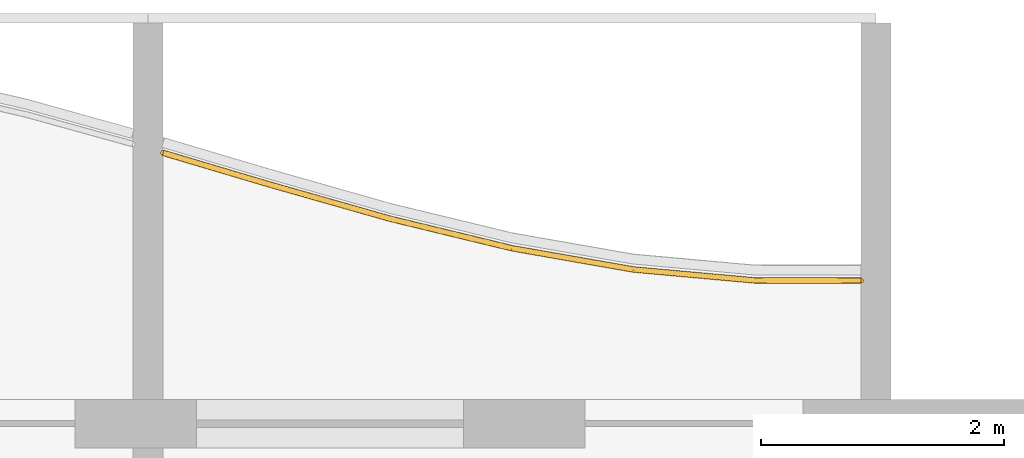
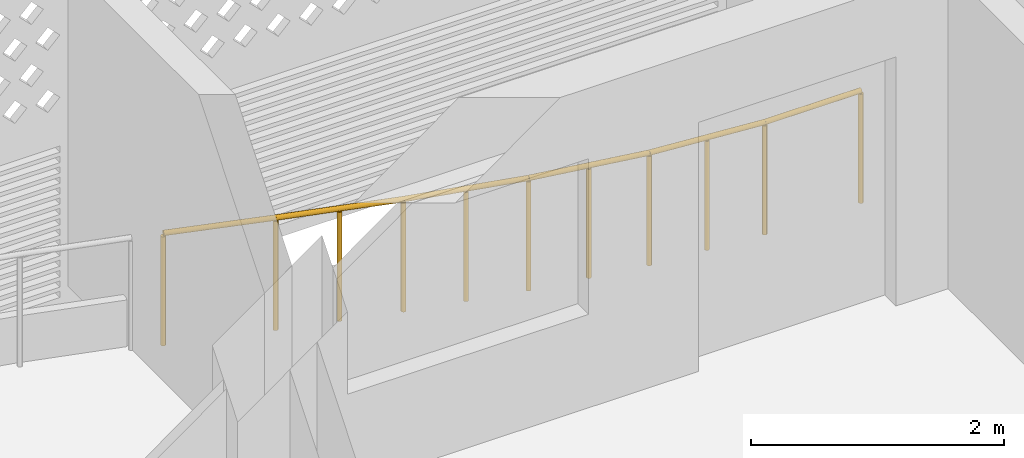
# One storey, part 26 of 27: 1 railing.
"""IFC4 building model written with IfcOpenShell, lengths in metres."""

from ifc_helpers import new_model, si_unit, direction, frame, origin, origin_2d, place, context, subcontext, project, spatial, circle, extrude, material, type_object, element, save


model = new_model("IFC4")

# Units and contexts
model_context = context("Model", 3, precision=1e-05, world=origin(), true_north=direction((0.0, 1.0)))
body_context = subcontext(model_context, "Body", "Model", "MODEL_VIEW")
ifc_project = project(units=[si_unit("LENGTHUNIT", "METRE"), si_unit("AREAUNIT", "SQUARE_METRE"), si_unit("VOLUMEUNIT", "CUBIC_METRE"), si_unit("PLANEANGLEUNIT", "RADIAN"), si_unit("MASSUNIT", "GRAM", prefix="KILO")], contexts=[model_context])

# Site, building, storey
site_placement = place(None, origin())
site = spatial("IfcSite", under=ifc_project, at=site_placement, CompositionType="ELEMENT")
building_placement = place(site_placement, origin())
building = spatial("IfcBuilding", under=site, at=building_placement, Name="Poui Terraces", CompositionType="ELEMENT")
storey_placement = place(building_placement, frame((0.0, 0.0, 198.300048828125)))
storey = spatial("IfcBuildingStorey", under=building, at=storey_placement, Name="L55", CompositionType="ELEMENT", Elevation=198.300048828125)

# Railing
ifc_material = material(Name="Painted steel fretwork", Category="steel")
railing_type = type_object("IfcRailingType", Name="BALCONY GUARD 1100", PredefinedType="GUARDRAIL", material=ifc_material)
railing_placement = place(storey_placement, frame((72.125, 43.43115234375, 0.0)))
element("IfcRailing", 1, at=railing_placement, inside=storey, type_object=railing_type, Name="BALCONY GUARD", PredefinedType="GUARDRAIL", context=body_context, shape_type="SweptSolid", body=[
    extrude(circle(Radius=0.02392578125, at=origin_2d()), frame((0.0, 0.0, 1.076171875), z_axis=(0.958573864065, -0.28484407512, 0.0), x_axis=(0.28484407512, 0.958573864065, 0.0)), (0.0, 0.0, 1.0), 0.912841796875),
    extrude(circle(Radius=0.02392578125, at=origin_2d()), frame((0.875, -0.260009765625, 1.076171875), z_axis=(0.961974635381, -0.273138794177, 0.0), x_axis=(0.273138794177, 0.961974635381, 0.0)), (0.0, 0.0, 1.0), 1.03955078125),
    extrude(circle(Radius=0.02392578125, at=origin_2d()), frame((1.875, -0.5439453125, 1.076171875), z_axis=(0.97195702449, -0.235158547673, 0.0), x_axis=(0.235158547673, 0.97195702449, 0.0)), (0.0, 0.0, 1.0), 1.02880859375),
    extrude(circle(Radius=0.02392578125, at=origin_2d()), frame((2.875, -0.785888671875, 1.076171875), z_axis=(0.985022299221, -0.172426999156, 0.0), x_axis=(0.172426999156, 0.985022299221, 0.0)), (0.0, 0.0, 1.0), 1.01513671875),
    extrude(circle(Radius=0.02392578125, at=origin_2d()), frame((3.875, -0.9609375, 1.076171875), z_axis=(0.995966620108, -0.089724531938, 0.0), x_axis=(0.089724531938, 0.995966620108, 0.0)), (0.0, 0.0, 1.0), 1.004150390625),
    extrude(circle(Radius=0.02392578125, at=origin_2d()), frame((4.875, -1.051025390625, 1.076171875), z_axis=(0.999998092657, -0.001953121275, 0.0), x_axis=(0.001953121275, 0.999998092657, 0.0)), (0.0, 0.0, 1.0), 0.875),
    extrude(circle(Radius=0.02099609375, at=origin_2d()), origin(), (0.0, 0.0, 1.0), 1.052001953125),
    extrude(circle(Radius=0.02099609375, at=origin_2d()), frame((0.875, -0.260009765625, 0.0)), (0.0, 0.0, 1.0), 1.052001953125),
    extrude(circle(Radius=0.02099609375, at=origin_2d()), frame((1.375, -0.40185546875, 0.0)), (0.0, 0.0, 1.0), 1.052001953125),
    extrude(circle(Radius=0.02099609375, at=origin_2d()), frame((1.875, -0.5439453125, 0.0)), (0.0, 0.0, 1.0), 1.052001953125),
    extrude(circle(Radius=0.02099609375, at=origin_2d()), frame((2.375, -0.6650390625, 0.0)), (0.0, 0.0, 1.0), 1.052001953125),
    extrude(circle(Radius=0.02099609375, at=origin_2d()), frame((2.875, -0.785888671875, 0.0)), (0.0, 0.0, 1.0), 1.052001953125),
    extrude(circle(Radius=0.02099609375, at=origin_2d()), frame((3.375, -0.87353515625, 0.0)), (0.0, 0.0, 1.0), 1.052001953125),
    extrude(circle(Radius=0.02099609375, at=origin_2d()), frame((3.875, -0.9609375, 0.0)), (0.0, 0.0, 1.0), 1.052001953125),
    extrude(circle(Radius=0.02099609375, at=origin_2d()), frame((4.375, -1.005859375, 0.0)), (0.0, 0.0, 1.0), 1.052001953125),
    extrude(circle(Radius=0.02099609375, at=origin_2d()), frame((4.875, -1.051025390625, 0.0)), (0.0, 0.0, 1.0), 1.052001953125),
    extrude(circle(Radius=0.02099609375, at=origin_2d()), frame((5.75, -1.052734375, 0.0)), (0.0, 0.0, 1.0), 1.052001953125),
])

save(model, "model.ifc")
